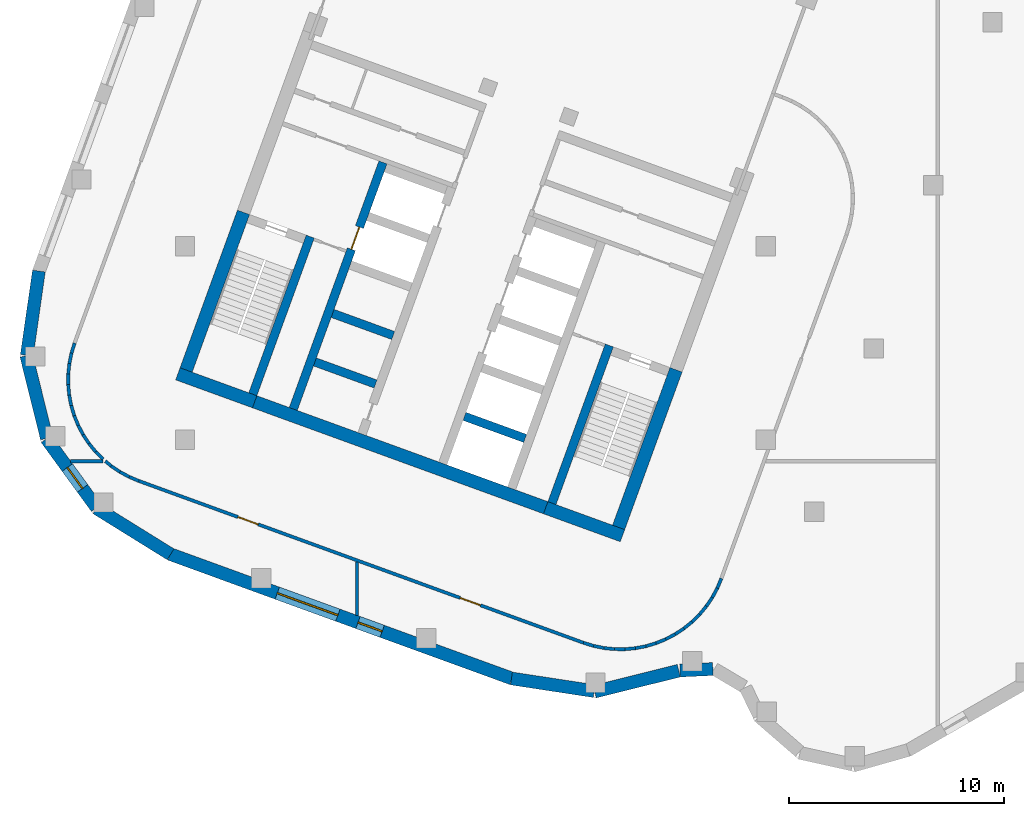
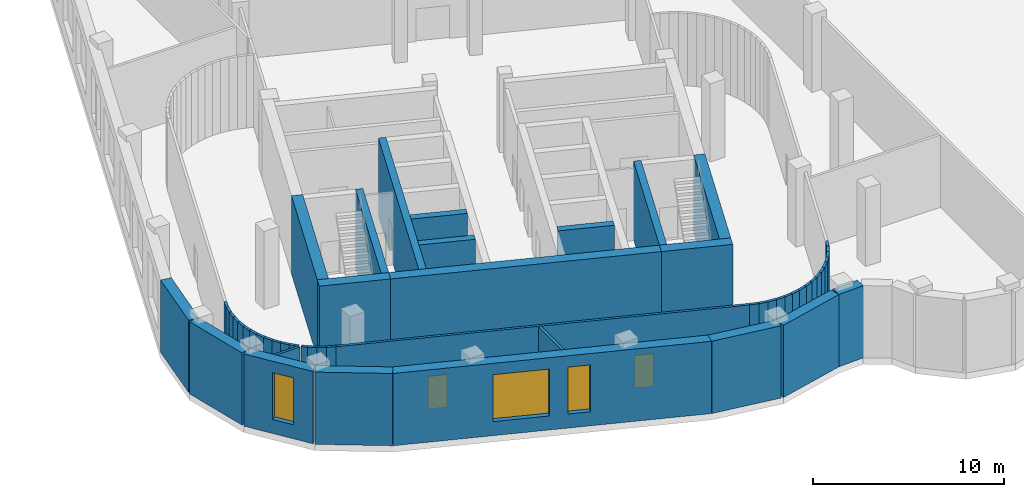
# One storey, part 3 of 18: 54 walls, 3 doors, 3 windows, 6 openings.
"""IFC4 building model written with IfcOpenShell, lengths in metres."""

from ifc_helpers import new_model, si_unit, direction, frame, frame_2d, origin, place, context, subcontext, project, spatial, rectangle, extrude, material, layer, layer_set, type_object, element, fill, save


model = new_model("IFC4")

# Units and contexts
model_context = context("Model", 3, precision=1e-05, world=origin(), true_north=direction((0.0, 1.0)))
body_context = subcontext(model_context, "Body", "Model", "MODEL_VIEW")
ifc_project = project(units=[si_unit("LENGTHUNIT", "METRE"), si_unit("AREAUNIT", "SQUARE_METRE"), si_unit("VOLUMEUNIT", "CUBIC_METRE"), si_unit("PLANEANGLEUNIT", "RADIAN"), si_unit("MASSUNIT", "GRAM", prefix="KILO")], contexts=[model_context])

# Site, building, storey
site_placement = place(None, origin())
site = spatial("IfcSite", under=ifc_project, at=site_placement, CompositionType="ELEMENT")
building_placement = place(site_placement, origin())
building = spatial("IfcBuilding", under=site, at=building_placement, Name="Skarvind Civic Tower", CompositionType="ELEMENT")
storey_placement = place(building_placement, frame((0.0, 0.0, 22.5)))
storey = spatial("IfcBuildingStorey", under=building, at=storey_placement, Name="L04", CompositionType="ELEMENT", Elevation=22.5)

# Walls
ifc_material_1 = material(Name="Concrete C80", Category="concrete")
ifc_layer_1 = layer(ifc_material_1, 0.39990234375)
ifc_layer_set_1 = layer_set([ifc_layer_1], Name="Core wall 400 C80")
wall_type_1 = type_object("IfcWallType", Name="Core wall 400 C80", PredefinedType="SHEAR", material=ifc_layer_set_1)
for number, where, z_axis, x_axis, name in (
    (1, (36.057861328125, 79.04833984375, 0.0), (0.0, 0.0, 1.0), (0.342016982193, 0.939693771338, 0.0), "Core wall C2 south stair inner L04"),
    (2, (22.150390625, 84.110107421875, 0.0), (0.0, 0.0, 1.0), (0.342016982193, 0.939693771338, 0.0), "Core wall C2 north stair inner L04"),
):
    element("IfcWall", number, at=place(storey_placement, frame(where, z_axis=z_axis, x_axis=x_axis)), inside=storey, type_object=wall_type_1, Name=name, PredefinedType="SHEAR", context=body_context, shape_type="SweptSolid", body=[
        extrude(rectangle(XDim=7.800048828125, YDim=0.39990234375, at=frame_2d((3.89990234375, 0.0))), origin(), (0.0, 0.0, 1.0), 5.0),
    ])
wall_1_placement = place(storey_placement, frame((34.8115234375, 82.055908203125, 0.0), z_axis=(0.0, 0.0, 1.0), x_axis=(-0.939686455819, 0.342037080957, 0.0)))
element("IfcWall", 3, at=wall_1_placement, inside=storey, type_object=wall_type_1, Name="Core wall C2 south lift row division 1 L04", PredefinedType="SHEAR", context=body_context, shape_type="SweptSolid", body=[
    extrude(rectangle(XDim=3.0, YDim=0.39990234375, at=frame_2d((1.5, 0.0))), origin(), (0.0, 0.0, 1.0), 5.0),
])

# Wall, opening, door
wall_2_placement = place(storey_placement, frame((24.02978515625, 83.426025390625, 0.0), z_axis=(0.0, 0.0, 1.0), x_axis=(0.342014590177, 0.939694641948, 0.0)))
wall_2 = element("IfcWall", 4, at=wall_2_placement, inside=storey, type_object=wall_type_1, Name="Core wall C2 north lift row back L04", PredefinedType="SHEAR", context=body_context, shape_type="SweptSolid", body=[
    extrude(rectangle(XDim=12.2001953125, YDim=0.39990234375, at=frame_2d((6.10009765625, 0.0))), origin(), (0.0, 0.0, 1.0), 5.0),
])
opening_1_placement = place(wall_2_placement, frame((7.89990234375, 0.0, 0.0)))
opening_1 = element("IfcOpeningElement", 5, at=opening_1_placement, cuts=wall_2, Name="Opening LD06204", PredefinedType="OPENING", context=body_context, shape_type="SweptSolid", body=[
    extrude(rectangle(XDim=1.10009765625, YDim=2.10009765625, at=frame_2d((0.550048828125, 1.050048828125))), frame((0.0, 0.2099609375, 0.0), z_axis=(0.0, -1.0, 0.0), x_axis=(1.0, 0.0, 0.0)), (0.0, 0.0, 1.0), 0.419921875),
])
ifc_material_2 = material(Name="Stainless steel landing door", Category="steel")
door_type_1 = type_object("IfcDoorType", Name="Lift landing door 1100", OperationType="DOUBLE_DOOR_SLIDING", PredefinedType="DOOR", material=ifc_material_2)
door_1_placement = place(opening_1_placement, origin())
door_1 = element("IfcDoor", 6, at=door_1_placement, inside=storey, type_object=door_type_1, Name="Lift landing door", OperationType="DOUBLE_DOOR_SLIDING", OverallHeight=2.10009765625, OverallWidth=1.10009765625, PredefinedType="DOOR", context=body_context, shape_type="SweptSolid", body=[
    extrude(rectangle(XDim=1.10009765625, YDim=2.10009765625, at=frame_2d((0.550048828125, 1.050048828125))), frame((0.0, 0.02490234375, 0.0), z_axis=(0.0, -1.0, 0.0), x_axis=(1.0, 0.0, 0.0)), (0.0, 0.0, 1.0), 0.050048828125),
])
fill(opening_1, door_1)

# Walls
wall_3_placement = place(storey_placement, frame((27.857666015625, 84.5869140625, 0.0), z_axis=(0.0, 0.0, 1.0), x_axis=(-0.939686455819, 0.342037080957, 0.0)))
element("IfcWall", 7, at=wall_3_placement, inside=storey, type_object=wall_type_1, Name="Core wall C2 north lift row division 1 L04", PredefinedType="SHEAR", context=body_context, shape_type="SweptSolid", body=[
    extrude(rectangle(XDim=3.0, YDim=0.39990234375, at=frame_2d((1.5, 0.0))), origin(), (0.0, 0.0, 1.0), 5.0),
])
wall_4_placement = place(storey_placement, frame((28.678466796875, 86.842041015625, 0.0), z_axis=(0.0, 0.0, 1.0), x_axis=(-0.939676934218, 0.342063238742, 0.0)))
element("IfcWall", 8, at=wall_4_placement, inside=storey, type_object=wall_type_1, Name="Core wall C2 north lift row division 2 L04", PredefinedType="SHEAR", context=body_context, shape_type="SweptSolid", body=[
    extrude(rectangle(XDim=2.999755859375, YDim=0.39990234375, at=frame_2d((1.5, 0.0))), origin(), (0.0, 0.0, 1.0), 5.0),
])
ifc_layer_2 = layer(ifc_material_1, 0.60009765625)
ifc_layer_set_2 = layer_set([ifc_layer_2], Name="Core wall 600 C80")
wall_type_2 = type_object("IfcWallType", Name="Core wall 600 C80", PredefinedType="SHEAR", material=ifc_layer_set_2)
wall_5_placement = place(storey_placement, frame((39.338134765625, 77.53515625, 0.0), z_axis=(0.0, 0.0, 1.0), x_axis=(-0.939701471648, 0.341995824804, 0.0)))
element("IfcWall", 9, at=wall_5_placement, inside=storey, type_object=wall_type_2, Name="Core wall C2 tip at the south stair L04", PredefinedType="SHEAR", context=body_context, shape_type="SweptSolid", body=[
    extrude(rectangle(XDim=3.800048828125, YDim=0.60009765625, at=frame_2d((1.89990234375, 0.0))), origin(), (0.0, 0.0, 1.0), 5.0),
])
wall_6_placement = place(storey_placement, frame((35.767333984375, 78.834716796875, 0.0), z_axis=(0.0, 0.0, 1.0), x_axis=(-0.939692894512, 0.342019391267, 0.0)))
element("IfcWall", 10, at=wall_6_placement, inside=storey, type_object=wall_type_2, Name="Core wall C2 tip between the stairs L04", PredefinedType="SHEAR", context=body_context, shape_type="SweptSolid", body=[
    extrude(rectangle(XDim=14.39990234375, YDim=0.60009765625, at=frame_2d((7.199951171875, 0.0))), origin(), (0.0, 0.0, 1.0), 5.0),
])
wall_7_placement = place(storey_placement, frame((22.23583984375, 83.759765625, 0.0), z_axis=(0.0, 0.0, 1.0), x_axis=(-0.939680822529, 0.342052557032, 0.0)))
element("IfcWall", 11, at=wall_7_placement, inside=storey, type_object=wall_type_2, Name="Core wall C2 tip at the north stair L04", PredefinedType="SHEAR", context=body_context, shape_type="SweptSolid", body=[
    extrude(rectangle(XDim=3.800048828125, YDim=0.60009765625, at=frame_2d((1.89990234375, 0.0))), origin(), (0.0, 0.0, 1.0), 5.0),
])
for number, where, z_axis, x_axis, name in (
    (12, (39.158935546875, 77.919677734375, 0.0), (0.0, 0.0, 1.0), (0.342016982193, 0.939693771338, 0.0), "Core wall C2 south side at the stair L04"),
    (13, (19.049560546875, 85.23876953125, 0.0), (0.0, 0.0, 1.0), (0.342016982193, 0.939693771338, 0.0), "Core wall C2 north side at the stair L04"),
):
    element("IfcWall", number, at=place(storey_placement, frame(where, z_axis=z_axis, x_axis=x_axis)), inside=storey, type_object=wall_type_2, Name=name, PredefinedType="SHEAR", context=body_context, shape_type="SweptSolid", body=[
        extrude(rectangle(XDim=7.800048828125, YDim=0.60009765625, at=frame_2d((3.89990234375, 0.0))), origin(), (0.0, 0.0, 1.0), 5.0),
    ])
ifc_material_3 = material(Name="Plasterboard partition on steel studs", Category="steel")
ifc_layer_3 = layer(ifc_material_3, 0.14990234375)
ifc_layer_set_3 = layer_set([ifc_layer_3], Name="PARTITION 150")
wall_type_3 = type_object("IfcWallType", Name="PARTITION 150", PredefinedType="PARTITIONING", material=ifc_layer_set_3)
wall_8_placement = place(storey_placement, frame((13.56689453125, 84.554931640625, 0.0), z_axis=(0.0, 0.0, 1.0), x_axis=(0.006359949647, 0.999979775316, 0.0)))
element("IfcWall", 14, at=wall_8_placement, inside=storey, type_object=wall_type_3, Name="Podium partition L04 001", PredefinedType="PARTITIONING", context=body_context, shape_type="SweptSolid", body=[
    extrude(rectangle(XDim=0.4990234375, YDim=0.14990234375, at=frame_2d((0.24951171875, 0.0))), origin(), (0.0, 0.0, 1.0), 4.625),
])
wall_9_placement = place(storey_placement, frame((13.56689453125, 84.56298828125, 0.0), z_axis=(0.0, 0.0, 1.0), x_axis=(0.092612071084, -0.99570226689, 0.0)))
element("IfcWall", 15, at=wall_9_placement, inside=storey, type_object=wall_type_3, Name="Podium partition L04 002", PredefinedType="PARTITIONING", context=body_context, shape_type="SweptSolid", body=[
    extrude(rectangle(XDim=0.498291015625, YDim=0.14990234375, at=frame_2d((0.2490234375, 0.0))), origin(), (0.0, 0.0, 1.0), 4.625),
])
wall_10_placement = place(storey_placement, frame((13.570068359375, 85.0458984375, 0.0), z_axis=(0.0, 0.0, 1.0), x_axis=(0.102314560958, 0.994752095055, 0.0)))
element("IfcWall", 16, at=wall_10_placement, inside=storey, type_object=wall_type_3, Name="Podium partition L04 003", PredefinedType="PARTITIONING", context=body_context, shape_type="SweptSolid", body=[
    extrude(rectangle(XDim=0.498779296875, YDim=0.14990234375, at=frame_2d((0.24951171875, 0.0))), origin(), (0.0, 0.0, 1.0), 4.625),
])
for number, where, z_axis, x_axis, name in (
    (17, (13.612060546875, 84.074951171875, 0.0), (0.0, 0.0, 1.0), (0.190280459207, -0.981729772821, 0.0), "Podium partition L04 004"),
    (18, (13.6201171875, 85.533935546875, 0.0), (0.0, 0.0, 1.0), (0.200065431035, 0.979782538783, 0.0), "Podium partition L04 005"),
):
    element("IfcWall", number, at=place(storey_placement, frame(where, z_axis=z_axis, x_axis=x_axis)), inside=storey, type_object=wall_type_3, Name=name, PredefinedType="PARTITIONING", context=body_context, shape_type="SweptSolid", body=[
        extrude(rectangle(XDim=0.4990234375, YDim=0.14990234375, at=frame_2d((0.24951171875, 0.0))), origin(), (0.0, 0.0, 1.0), 4.625),
    ])
wall_11_placement = place(storey_placement, frame((13.680908203125, 81.0, 0.0), z_axis=(0.0, 0.0, 1.0), x_axis=(1.0, 0.0, 0.0)))
element("IfcWall", 19, at=wall_11_placement, inside=storey, type_object=wall_type_3, Name="Podium partition L04 006", PredefinedType="PARTITIONING", context=body_context, shape_type="SweptSolid", body=[
    extrude(rectangle(XDim=1.4951171875, YDim=0.14990234375, at=frame_2d((0.74755859375, 0.0))), origin(), (0.0, 0.0, 1.0), 4.625),
])
wall_12_placement = place(storey_placement, frame((13.705078125, 83.593017578125, 0.0), z_axis=(0.0, 0.0, 1.0), x_axis=(0.285006811854, -0.958525491157, 0.0)))
element("IfcWall", 20, at=wall_12_placement, inside=storey, type_object=wall_type_3, Name="Podium partition L04 007", PredefinedType="PARTITIONING", context=body_context, shape_type="SweptSolid", body=[
    extrude(rectangle(XDim=0.497802734375, YDim=0.14990234375, at=frame_2d((0.2490234375, 0.0))), origin(), (0.0, 0.0, 1.0), 4.625),
])
wall_13_placement = place(storey_placement, frame((13.718017578125, 86.014892578125, 0.0), z_axis=(0.0, 0.0, 1.0), x_axis=(0.29553439104, 0.955332101268, 0.0)))
element("IfcWall", 21, at=wall_13_placement, inside=storey, type_object=wall_type_3, Name="Podium partition L04 008", PredefinedType="PARTITIONING", context=body_context, shape_type="SweptSolid", body=[
    extrude(rectangle(XDim=0.497314453125, YDim=0.14990234375, at=frame_2d((0.24853515625, 0.0))), origin(), (0.0, 0.0, 1.0), 4.625),
])
wall_14_placement = place(storey_placement, frame((13.844970703125, 83.1220703125, 0.0), z_axis=(0.0, 0.0, 1.0), x_axis=(0.37578481902, -0.926706949253, 0.0)))
element("IfcWall", 22, at=wall_14_placement, inside=storey, type_object=wall_type_3, Name="Podium partition L04 009", PredefinedType="PARTITIONING", context=body_context, shape_type="SweptSolid", body=[
    extrude(rectangle(XDim=0.49755859375, YDim=0.14990234375, at=frame_2d((0.248779296875, 0.0))), origin(), (0.0, 0.0, 1.0), 4.625),
])
wall_15_placement = place(storey_placement, frame((14.029052734375, 82.6669921875, 0.0), z_axis=(0.0, 0.0, 1.0), x_axis=(0.468700159313, -0.883357323318, 0.0)))
element("IfcWall", 23, at=wall_15_placement, inside=storey, type_object=wall_type_3, Name="Podium partition L04 011", PredefinedType="PARTITIONING", context=body_context, shape_type="SweptSolid", body=[
    extrude(rectangle(XDim=0.496826171875, YDim=0.14990234375, at=frame_2d((0.24853515625, 0.0))), origin(), (0.0, 0.0, 1.0), 4.625),
])
for number, where, z_axis, x_axis, name in (
    (24, (14.258056640625, 82.23388671875, 0.0), (0.0, 0.0, 1.0), (0.550165738333, -0.835055483405, 0.0), "Podium partition L04 012"),
    (25, (14.528076171875, 81.823974609375, 0.0), (0.0, 0.0, 1.0), (0.628873610356, -0.777507544785, 0.0), "Podium partition L04 013"),
):
    element("IfcWall", number, at=place(storey_placement, frame(where, z_axis=z_axis, x_axis=x_axis)), inside=storey, type_object=wall_type_3, Name=name, PredefinedType="PARTITIONING", context=body_context, shape_type="SweptSolid", body=[
        extrude(rectangle(XDim=0.497802734375, YDim=0.14990234375, at=frame_2d((0.2490234375, 0.0))), origin(), (0.0, 0.0, 1.0), 4.625),
    ])
wall_16_placement = place(storey_placement, frame((14.8359375, 81.443115234375, 0.0), z_axis=(0.0, 0.0, 1.0), x_axis=(0.702939506556, -0.711249639805, 0.0)))
element("IfcWall", 26, at=wall_16_placement, inside=storey, type_object=wall_type_3, Name="Podium partition L04 014", PredefinedType="PARTITIONING", context=body_context, shape_type="SweptSolid", body=[
    extrude(rectangle(XDim=0.49951171875, YDim=0.14990234375, at=frame_2d((0.249755859375, 0.0))), origin(), (0.0, 0.0, 1.0), 4.625),
])
wall_17_placement = place(storey_placement, frame((15.2939453125, 81.0, 0.0), z_axis=(0.0, 0.0, 1.0), x_axis=(0.770605931108, -0.637311932213, 0.0)))
element("IfcWall", 27, at=wall_17_placement, inside=storey, type_object=wall_type_3, Name="Podium partition L04 016", PredefinedType="PARTITIONING", context=body_context, shape_type="SweptSolid", body=[
    extrude(rectangle(XDim=0.3515625, YDim=0.14990234375, at=frame_2d((0.17578125, 0.0))), origin(), (0.0, 0.0, 1.0), 4.625),
])
wall_18_placement = place(storey_placement, frame((15.55908203125, 80.780029296875, 0.0), z_axis=(0.0, 0.0, 1.0), x_axis=(0.828490672822, -0.560002861641, 0.0)))
element("IfcWall", 28, at=wall_18_placement, inside=storey, type_object=wall_type_3, Name="Podium partition L04 017", PredefinedType="PARTITIONING", context=body_context, shape_type="SweptSolid", body=[
    extrude(rectangle(XDim=0.498291015625, YDim=0.14990234375, at=frame_2d((0.2490234375, 0.0))), origin(), (0.0, 0.0, 1.0), 4.625),
])
wall_19_placement = place(storey_placement, frame((15.966064453125, 80.5048828125, 0.0), z_axis=(0.0, 0.0, 1.0), x_axis=(0.878382708813, -0.477957965577, 0.0)))
element("IfcWall", 29, at=wall_19_placement, inside=storey, type_object=wall_type_3, Name="Podium partition L04 018", PredefinedType="PARTITIONING", context=body_context, shape_type="SweptSolid", body=[
    extrude(rectangle(XDim=0.49755859375, YDim=0.14990234375, at=frame_2d((0.248779296875, 0.0))), origin(), (0.0, 0.0, 1.0), 4.625),
])
wall_20_placement = place(storey_placement, frame((16.39697265625, 80.27001953125, 0.0), z_axis=(0.0, 0.0, 1.0), x_axis=(0.921848433773, -0.387550596891, 0.0)))
element("IfcWall", 30, at=wall_20_placement, inside=storey, type_object=wall_type_3, Name="Podium partition L04 019", PredefinedType="PARTITIONING", context=body_context, shape_type="SweptSolid", body=[
    extrude(rectangle(XDim=0.495849609375, YDim=0.14990234375, at=frame_2d((0.248046875, 0.0))), origin(), (0.0, 0.0, 1.0), 4.625),
])

# Wall, openings, doors
wall_21_placement = place(storey_placement, frame((37.528076171875, 72.553955078125, 0.0), z_axis=(0.0, 0.0, 1.0), x_axis=(-0.939693287343, 0.34201831197, 0.0)))
wall_21 = element("IfcWall", 31, at=wall_21_placement, inside=storey, type_object=wall_type_3, Name="Podium partition L04 020", PredefinedType="PARTITIONING", context=body_context, shape_type="SweptSolid", body=[
    extrude(rectangle(XDim=22.005126953125, YDim=0.14990234375, at=frame_2d((11.00244140625, 0.0))), origin(), (0.0, 0.0, 1.0), 4.625),
])
opening_2_placement = place(wall_21_placement, frame((16.10107421875, 0.0, 0.0)))
opening_2 = element("IfcOpeningElement", 32, at=opening_2_placement, cuts=wall_21, Name="Opening L04-D202", PredefinedType="OPENING", context=body_context, shape_type="SweptSolid", body=[
    extrude(rectangle(XDim=1.0, YDim=2.10009765625, at=frame_2d((0.5, 1.050048828125))), frame((0.0, 0.0849609375, 0.0), z_axis=(0.0, -1.0, 0.0), x_axis=(1.0, 0.0, 0.0)), (0.0, 0.0, 1.0), 0.169921875),
])
opening_3_placement = place(wall_21_placement, frame((5.10498046875, 0.0, 0.0)))
opening_3 = element("IfcOpeningElement", 33, at=opening_3_placement, cuts=wall_21, Name="Opening L04-D204", PredefinedType="OPENING", context=body_context, shape_type="SweptSolid", body=[
    extrude(rectangle(XDim=1.0, YDim=2.10009765625, at=frame_2d((0.5, 1.050048828125))), frame((0.0, 0.0849609375, 0.0), z_axis=(0.0, -1.0, 0.0), x_axis=(1.0, 0.0, 0.0)), (0.0, 0.0, 1.0), 0.169921875),
])
ifc_material_4 = material(Name="Timber veneer door leaf", Category="wood")
door_type_2 = type_object("IfcDoorType", Name="DOOR 1000X2100 TIMBER", OperationType="NOTDEFINED", PredefinedType="DOOR", material=ifc_material_4)
door_2_placement = place(opening_2_placement, origin())
door_2 = element("IfcDoor", 34, at=door_2_placement, inside=storey, type_object=door_type_2, Name="DOOR DOOR", OperationType="SINGLE_SWING_LEFT", OverallHeight=2.10009765625, OverallWidth=1.0, PredefinedType="DOOR", context=body_context, shape_type="SweptSolid", body=[
    extrude(rectangle(XDim=1.0, YDim=2.10009765625, at=frame_2d((0.5, 1.050048828125))), frame((0.0, 0.02490234375, 0.0), z_axis=(0.0, -1.0, 0.0), x_axis=(1.0, 0.0, 0.0)), (0.0, 0.0, 1.0), 0.050048828125),
])
fill(opening_2, door_2)
door_3_placement = place(opening_3_placement, origin())
door_3 = element("IfcDoor", 35, at=door_3_placement, inside=storey, type_object=door_type_2, Name="DOOR DOOR", OperationType="SINGLE_SWING_RIGHT", OverallHeight=2.10009765625, OverallWidth=1.0, PredefinedType="DOOR", context=body_context, shape_type="SweptSolid", body=[
    extrude(rectangle(XDim=1.0, YDim=2.10009765625, at=frame_2d((0.5, 1.050048828125))), frame((0.0, 0.02490234375, 0.0), z_axis=(0.0, -1.0, 0.0), x_axis=(1.0, 0.0, 0.0)), (0.0, 0.0, 1.0), 0.050048828125),
])
fill(opening_3, door_3)

# Walls
wall_22_placement = place(storey_placement, frame((27.0, 73.83203125, 0.0), z_axis=(0.0, 0.0, 1.0), x_axis=(0.0, 1.0, 0.0)))
element("IfcWall", 36, at=wall_22_placement, inside=storey, type_object=wall_type_3, Name="Podium partition L04 045", PredefinedType="PARTITIONING", context=body_context, shape_type="SweptSolid", body=[
    extrude(rectangle(XDim=2.473876953125, YDim=0.14990234375, at=frame_2d((1.23681640625, 0.0))), origin(), (0.0, 0.0, 1.0), 4.625),
])
wall_23_placement = place(storey_placement, frame((37.52392578125, 72.555908203125, 0.0), z_axis=(0.0, 0.0, 1.0), x_axis=(0.954987142797, -0.296647192964, 0.0)))
element("IfcWall", 37, at=wall_23_placement, inside=storey, type_object=wall_type_3, Name="Podium partition L04 057", PredefinedType="PARTITIONING", context=body_context, shape_type="SweptSolid", body=[
    extrude(rectangle(XDim=0.495361328125, YDim=0.14990234375, at=frame_2d((0.24755859375, 0.0))), origin(), (0.0, 0.0, 1.0), 4.625),
])
wall_24_placement = place(storey_placement, frame((37.989990234375, 72.410888671875, 0.0), z_axis=(0.0, 0.0, 1.0), x_axis=(0.979397350706, -0.201942638962, 0.0)))
element("IfcWall", 38, at=wall_24_placement, inside=storey, type_object=wall_type_3, Name="Podium partition L04 058", PredefinedType="PARTITIONING", context=body_context, shape_type="SweptSolid", body=[
    extrude(rectangle(XDim=0.499267578125, YDim=0.14990234375, at=frame_2d((0.24951171875, 0.0))), origin(), (0.0, 0.0, 1.0), 4.625),
])
wall_25_placement = place(storey_placement, frame((38.470947265625, 72.31103515625, 0.0), z_axis=(0.0, 0.0, 1.0), x_axis=(0.994949544905, -0.100376307434, 0.0)))
element("IfcWall", 39, at=wall_25_placement, inside=storey, type_object=wall_type_3, Name="Podium partition L04 059", PredefinedType="PARTITIONING", context=body_context, shape_type="SweptSolid", body=[
    extrude(rectangle(XDim=0.49853515625, YDim=0.14990234375, at=frame_2d((0.249267578125, 0.0))), origin(), (0.0, 0.0, 1.0), 4.625),
])
wall_26_placement = place(storey_placement, frame((38.958984375, 72.260986328125, 0.0), z_axis=(0.0, 0.0, 1.0), x_axis=(0.999982767056, -0.005870740315, 0.0)))
element("IfcWall", 40, at=wall_26_placement, inside=storey, type_object=wall_type_3, Name="Podium partition L04 060", PredefinedType="PARTITIONING", context=body_context, shape_type="SweptSolid", body=[
    extrude(rectangle(XDim=0.4990234375, YDim=0.14990234375, at=frame_2d((0.24951171875, 0.0))), origin(), (0.0, 0.0, 1.0), 4.625),
])
wall_27_placement = place(storey_placement, frame((39.449951171875, 72.258056640625, 0.0), z_axis=(0.0, 0.0, 1.0), x_axis=(0.995925282781, 0.090182210646, 0.0)))
element("IfcWall", 41, at=wall_27_placement, inside=storey, type_object=wall_type_3, Name="Podium partition L04 061", PredefinedType="PARTITIONING", context=body_context, shape_type="SweptSolid", body=[
    extrude(rectangle(XDim=0.498046875, YDim=0.14990234375, at=frame_2d((0.2490234375, 0.0))), origin(), (0.0, 0.0, 1.0), 4.625),
])
wall_28_placement = place(storey_placement, frame((39.93798828125, 72.302001953125, 0.0), z_axis=(0.0, 0.0, 1.0), x_axis=(0.981729772821, 0.190280459207, 0.0)))
element("IfcWall", 42, at=wall_28_placement, inside=storey, type_object=wall_type_3, Name="Podium partition L04 062", PredefinedType="PARTITIONING", context=body_context, shape_type="SweptSolid", body=[
    extrude(rectangle(XDim=0.4990234375, YDim=0.14990234375, at=frame_2d((0.24951171875, 0.0))), origin(), (0.0, 0.0, 1.0), 4.625),
])
wall_29_placement = place(storey_placement, frame((40.419921875, 72.39501953125, 0.0), z_axis=(0.0, 0.0, 1.0), x_axis=(0.958550811735, 0.284921640669, 0.0)))
element("IfcWall", 43, at=wall_29_placement, inside=storey, type_object=wall_type_3, Name="Podium partition L04 063", PredefinedType="PARTITIONING", context=body_context, shape_type="SweptSolid", body=[
    extrude(rectangle(XDim=0.498779296875, YDim=0.14990234375, at=frame_2d((0.24951171875, 0.0))), origin(), (0.0, 0.0, 1.0), 4.625),
])
for number, where, z_axis, x_axis, name in (
    (44, (40.89111328125, 72.534912109375, 0.0), (0.0, 0.0, 1.0), (0.925952664904, 0.377639593208, 0.0), "Podium partition L04 066"),
    (45, (41.345947265625, 72.719970703125, 0.0), (0.0, 0.0, 1.0), (0.883787916347, 0.467887720419, 0.0), "Podium partition L04 068"),
):
    element("IfcWall", number, at=place(storey_placement, frame(where, z_axis=z_axis, x_axis=x_axis)), inside=storey, type_object=wall_type_3, Name=name, PredefinedType="PARTITIONING", context=body_context, shape_type="SweptSolid", body=[
        extrude(rectangle(XDim=0.497802734375, YDim=0.14990234375, at=frame_2d((0.2490234375, 0.0))), origin(), (0.0, 0.0, 1.0), 4.625),
    ])
wall_30_placement = place(storey_placement, frame((41.780029296875, 72.948974609375, 0.0), z_axis=(0.0, 0.0, 1.0), x_axis=(0.834609406562, 0.550842208331, 0.0)))
element("IfcWall", 46, at=wall_30_placement, inside=storey, type_object=wall_type_3, Name="Podium partition L04 069", PredefinedType="PARTITIONING", context=body_context, shape_type="SweptSolid", body=[
    extrude(rectangle(XDim=0.497314453125, YDim=0.14990234375, at=frame_2d((0.24853515625, 0.0))), origin(), (0.0, 0.0, 1.0), 4.625),
])
wall_31_placement = place(storey_placement, frame((42.18896484375, 73.218994140625, 0.0), z_axis=(0.0, 0.0, 1.0), x_axis=(0.777507544785, 0.628873610356, 0.0)))
element("IfcWall", 47, at=wall_31_placement, inside=storey, type_object=wall_type_3, Name="Podium partition L04 072", PredefinedType="PARTITIONING", context=body_context, shape_type="SweptSolid", body=[
    extrude(rectangle(XDim=0.497802734375, YDim=0.14990234375, at=frame_2d((0.2490234375, 0.0))), origin(), (0.0, 0.0, 1.0), 4.625),
])
wall_32_placement = place(storey_placement, frame((42.570068359375, 73.527099609375, 0.0), z_axis=(0.0, 0.0, 1.0), x_axis=(0.711252497293, 0.702936615275, 0.0)))
element("IfcWall", 48, at=wall_32_placement, inside=storey, type_object=wall_type_3, Name="Podium partition L04 073", PredefinedType="PARTITIONING", context=body_context, shape_type="SweptSolid", body=[
    extrude(rectangle(XDim=0.4990234375, YDim=0.14990234375, at=frame_2d((0.24951171875, 0.0))), origin(), (0.0, 0.0, 1.0), 4.625),
])
wall_33_placement = place(storey_placement, frame((42.919921875, 73.8720703125, 0.0), z_axis=(0.0, 0.0, 1.0), x_axis=(0.636754760492, 0.771066388186, 0.0)))
element("IfcWall", 49, at=wall_33_placement, inside=storey, type_object=wall_type_3, Name="Podium partition L04 075", PredefinedType="PARTITIONING", context=body_context, shape_type="SweptSolid", body=[
    extrude(rectangle(XDim=0.498046875, YDim=0.14990234375, at=frame_2d((0.2490234375, 0.0))), origin(), (0.0, 0.0, 1.0), 4.625),
])
wall_34_placement = place(storey_placement, frame((43.23291015625, 74.25, 0.0), z_axis=(0.0, 0.0, 1.0), x_axis=(0.560685437924, 0.828028888203, 0.0)))
element("IfcWall", 50, at=wall_34_placement, inside=storey, type_object=wall_type_3, Name="Podium partition L04 076", PredefinedType="PARTITIONING", context=body_context, shape_type="SweptSolid", body=[
    extrude(rectangle(XDim=0.497802734375, YDim=0.14990234375, at=frame_2d((0.2490234375, 0.0))), origin(), (0.0, 0.0, 1.0), 4.625),
])
wall_35_placement = place(storey_placement, frame((43.508056640625, 74.656005859375, 0.0), z_axis=(0.0, 0.0, 1.0), x_axis=(0.47751332042, 0.878624509573, 0.0)))
element("IfcWall", 51, at=wall_35_placement, inside=storey, type_object=wall_type_3, Name="Podium partition L04 077", PredefinedType="PARTITIONING", context=body_context, shape_type="SweptSolid", body=[
    extrude(rectangle(XDim=0.49853515625, YDim=0.14990234375, at=frame_2d((0.249267578125, 0.0))), origin(), (0.0, 0.0, 1.0), 4.625),
])
wall_36_placement = place(storey_placement, frame((43.742919921875, 75.087890625, 0.0), z_axis=(0.0, 0.0, 1.0), x_axis=(0.387550596891, 0.921848433773, 0.0)))
element("IfcWall", 52, at=wall_36_placement, inside=storey, type_object=wall_type_3, Name="Podium partition L04 078", PredefinedType="PARTITIONING", context=body_context, shape_type="SweptSolid", body=[
    extrude(rectangle(XDim=0.495849609375, YDim=0.14990234375, at=frame_2d((0.248046875, 0.0))), origin(), (0.0, 0.0, 1.0), 4.625),
])
ifc_material_5 = material(Name="Limestone masonry cladding on insulated backing", Category="masonry")
ifc_layer_4 = layer(ifc_material_5, 0.60009765625)
ifc_layer_set_4 = layer_set([ifc_layer_4], Name="WX1 STONE FACADE WALL 600")
wall_type_4 = type_object("IfcWallType", Name="WX1 STONE FACADE WALL 600", PredefinedType="SOLIDWALL", material=ifc_layer_set_4)
wall_37_placement = place(storey_placement, frame((11.640869140625, 85.919677734375, 0.0), z_axis=(0.0, 0.0, 1.0), x_axis=(0.142240980655, 0.989832058191, 0.0)))
element("IfcWall", 53, at=wall_37_placement, inside=storey, type_object=wall_type_4, Name="STONE FACADE WALL", PredefinedType="SOLIDWALL", context=body_context, shape_type="SweptSolid", body=[
    extrude(rectangle(XDim=3.96142578125, YDim=0.60009765625, at=frame_2d((1.980712890625, 0.0))), origin(), (0.0, 0.0, 1.0), 4.625),
])
wall_38_placement = place(storey_placement, frame((12.571044921875, 82.06103515625, 0.0), z_axis=(0.0, 0.0, 1.0), x_axis=(-0.240896747667, 0.970550749298, 0.0)))
element("IfcWall", 54, at=wall_38_placement, inside=storey, type_object=wall_type_4, Name="STONE FACADE WALL", PredefinedType="SOLIDWALL", context=body_context, shape_type="SweptSolid", body=[
    extrude(rectangle(XDim=3.961669921875, YDim=0.60009765625, at=frame_2d((1.98095703125, 0.0))), origin(), (0.0, 0.0, 1.0), 4.625),
])

# Wall, opening, window
wall_39_placement = place(storey_placement, frame((14.885498046875, 78.836669921875, 0.0), z_axis=(0.0, 0.0, 1.0), x_axis=(-0.588600339707, 0.808424170901, 0.0)))
wall_39 = element("IfcWall", 55, at=wall_39_placement, inside=storey, type_object=wall_type_4, Name="STONE FACADE WALL", PredefinedType="SOLIDWALL", context=body_context, shape_type="SweptSolid", body=[
    extrude(rectangle(XDim=3.961669921875, YDim=0.60009765625, at=frame_2d((1.98095703125, 0.0))), origin(), (0.0, 0.0, 1.0), 4.625),
])
opening_4_placement = place(wall_39_placement, frame((1.10791015625, 0.0, 0.89990234375)))
opening_4 = element("IfcOpeningElement", 56, at=opening_4_placement, cuts=wall_39, Name="Opening WN6", PredefinedType="OPENING", context=body_context, shape_type="SweptSolid", body=[
    extrude(rectangle(XDim=1.199951171875, YDim=3.0, at=frame_2d((0.60009765625, 1.5))), frame((0.0, 0.31005859375, 0.0), z_axis=(0.0, -1.0, 0.0), x_axis=(1.0, 0.0, 0.0)), (0.0, 0.0, 1.0), 0.6201171875),
])
ifc_material_6 = material(Name="Timber frame, double glazing, timber-lined reveal", Category="wood")
window_type_1 = type_object("IfcWindowType", Name="WN6 NARROW PODIUM WINDOW 1200 x 3000", PartitioningType="SINGLE_PANEL", PredefinedType="WINDOW", material=ifc_material_6)
window_1_placement = place(opening_4_placement, origin())
window_1 = element("IfcWindow", 57, at=window_1_placement, inside=storey, type_object=window_type_1, Name="WN6 WINDOW", OverallHeight=3.0, OverallWidth=1.199951171875, PartitioningType="SINGLE_PANEL", PredefinedType="WINDOW", context=body_context, shape_type="SweptSolid", body=[
    extrude(rectangle(XDim=1.199951171875, YDim=3.0, at=frame_2d((0.60009765625, 1.5))), frame((0.0, 0.030029296875, 0.0), z_axis=(0.0, -1.0, 0.0), x_axis=(1.0, 0.0, 0.0)), (0.0, 0.0, 1.0), 0.06005859375),
])
fill(opening_4, window_1)

# Wall
wall_40_placement = place(storey_placement, frame((18.32861328125, 76.668212890625, 0.0), z_axis=(0.0, 0.0, 1.0), x_axis=(-0.849679171995, 0.527300013918, 0.0)))
element("IfcWall", 58, at=wall_40_placement, inside=storey, type_object=wall_type_4, Name="STONE FACADE WALL", PredefinedType="SOLIDWALL", context=body_context, shape_type="SweptSolid", body=[
    extrude(rectangle(XDim=4.0615234375, YDim=0.60009765625, at=frame_2d((2.03076171875, 0.0))), origin(), (0.0, 0.0, 1.0), 4.625),
])

# Wall, openings, windows
wall_41_placement = place(storey_placement, frame((34.2041015625, 70.890380859375, 0.0), z_axis=(0.0, 0.0, 1.0), x_axis=(-0.939693996621, 0.342016363227, 0.0)))
wall_41 = element("IfcWall", 59, at=wall_41_placement, inside=storey, type_object=wall_type_4, Name="STONE FACADE WALL", PredefinedType="SOLIDWALL", context=body_context, shape_type="SweptSolid", body=[
    extrude(rectangle(XDim=16.92626953125, YDim=0.60009765625, at=frame_2d((8.463134765625, 0.0))), origin(), (0.0, 0.0, 1.0), 4.625),
])
opening_5_placement = place(wall_41_placement, frame((6.42578125, 0.0, 0.89990234375)))
opening_5 = element("IfcOpeningElement", 60, at=opening_5_placement, cuts=wall_41, Name="Opening WN6", PredefinedType="OPENING", context=body_context, shape_type="SweptSolid", body=[
    extrude(rectangle(XDim=1.199951171875, YDim=3.0, at=frame_2d((0.60009765625, 1.5))), frame((0.0, 0.31005859375, 0.0), z_axis=(0.0, -1.0, 0.0), x_axis=(1.0, 0.0, 0.0)), (0.0, 0.0, 1.0), 0.6201171875),
])
opening_6_placement = place(wall_41_placement, frame((8.61767578125, 0.0, 0.89990234375)))
opening_6 = element("IfcOpeningElement", 61, at=opening_6_placement, cuts=wall_41, Name="Opening WN2", PredefinedType="OPENING", context=body_context, shape_type="SweptSolid", body=[
    extrude(rectangle(XDim=3.0, YDim=3.0, at=frame_2d((1.5, 1.5))), frame((0.0, 0.31005859375, 0.0), z_axis=(0.0, -1.0, 0.0), x_axis=(1.0, 0.0, 0.0)), (0.0, 0.0, 1.0), 0.6201171875),
])
window_type_2 = type_object("IfcWindowType", Name="WN2 PODIUM STONE WINDOW 3000 x 3000", PartitioningType="SINGLE_PANEL", PredefinedType="WINDOW", material=ifc_material_6)
window_2_placement = place(opening_6_placement, origin())
window_2 = element("IfcWindow", 62, at=window_2_placement, inside=storey, type_object=window_type_2, Name="WN2 WINDOW", OverallHeight=3.0, OverallWidth=3.0, PartitioningType="SINGLE_PANEL", PredefinedType="WINDOW", context=body_context, shape_type="SweptSolid", body=[
    extrude(rectangle(XDim=3.0, YDim=3.0, at=frame_2d((1.5, 1.5))), frame((0.0, 0.030029296875, 0.0), z_axis=(0.0, -1.0, 0.0), x_axis=(1.0, 0.0, 0.0)), (0.0, 0.0, 1.0), 0.06005859375),
])
fill(opening_6, window_2)
window_3_placement = place(opening_5_placement, origin())
window_3 = element("IfcWindow", 63, at=window_3_placement, inside=storey, type_object=window_type_1, Name="WN6 WINDOW", OverallHeight=3.0, OverallWidth=1.199951171875, PartitioningType="SINGLE_PANEL", PredefinedType="WINDOW", context=body_context, shape_type="SweptSolid", body=[
    extrude(rectangle(XDim=1.199951171875, YDim=3.0, at=frame_2d((0.60009765625, 1.5))), frame((0.0, 0.030029296875, 0.0), z_axis=(0.0, -1.0, 0.0), x_axis=(1.0, 0.0, 0.0)), (0.0, 0.0, 1.0), 0.06005859375),
])
fill(opening_5, window_3)

# Walls
wall_42_placement = place(storey_placement, frame((38.021728515625, 70.30810546875, 0.0), z_axis=(0.0, 0.0, 1.0), x_axis=(-0.98857030495, 0.150760578968, 0.0)))
element("IfcWall", 64, at=wall_42_placement, inside=storey, type_object=wall_type_4, Name="STONE FACADE WALL", PredefinedType="SOLIDWALL", context=body_context, shape_type="SweptSolid", body=[
    extrude(rectangle(XDim=3.891357421875, YDim=0.60009765625, at=frame_2d((1.94580078125, 0.0))), origin(), (0.0, 0.0, 1.0), 4.625),
])
wall_43_placement = place(storey_placement, frame((41.9541015625, 71.25537109375, 0.0), z_axis=(0.0, 0.0, 1.0), x_axis=(-0.970377180078, -0.241594967628, 0.0)))
element("IfcWall", 65, at=wall_43_placement, inside=storey, type_object=wall_type_4, Name="STONE FACADE WALL", PredefinedType="SOLIDWALL", context=body_context, shape_type="SweptSolid", body=[
    extrude(rectangle(XDim=4.031005859375, YDim=0.60009765625, at=frame_2d((2.015625, 0.0))), origin(), (0.0, 0.0, 1.0), 4.625),
])
wall_44_placement = place(storey_placement, frame((43.538330078125, 71.335205078125, 0.0), z_axis=(0.0, 0.0, 1.0), x_axis=(-0.998910056035, -0.046676546065, 0.0)))
element("IfcWall", 66, at=wall_44_placement, inside=storey, type_object=wall_type_4, Name="STONE FACADE WALL", PredefinedType="SOLIDWALL", context=body_context, shape_type="SweptSolid", body=[
    extrude(rectangle(XDim=1.52734375, YDim=0.60009765625, at=frame_2d((0.763671875, 0.0))), origin(), (0.0, 0.0, 1.0), 4.625),
])

save(model, "model.ifc")
